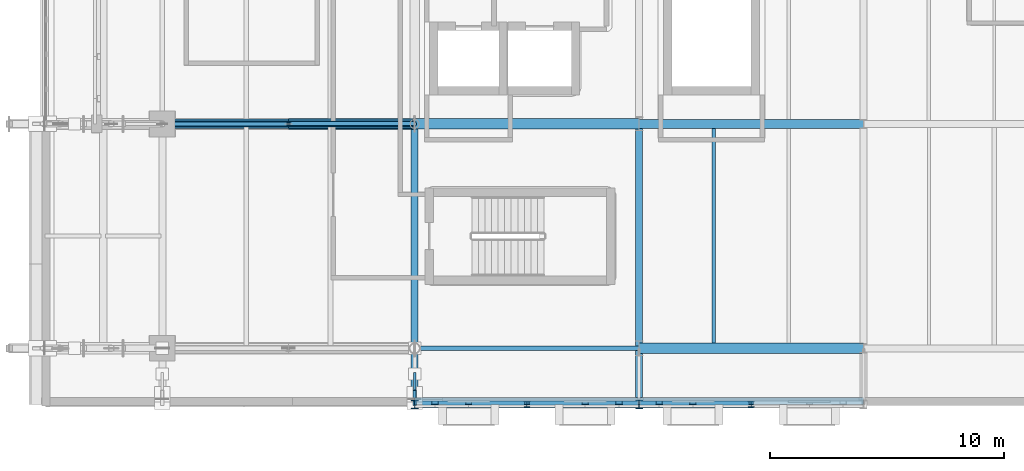
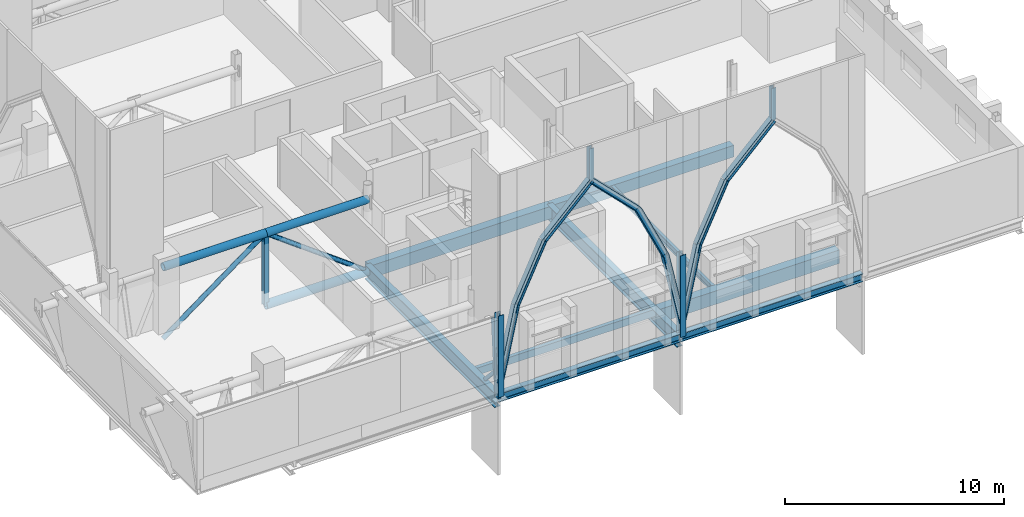
# One storey, part 20 of 90: 21 members, 9 beams.
"""IFC4 building model written with IfcOpenShell, lengths in metres."""

from ifc_helpers import new_model, si_unit, direction, frame, origin, origin_2d, place, context, subcontext, project, spatial, rectangle, hollow_rectangle, hollow_circle, i_section, extrude, material, material_profile, profile_set, type_object, element, save


model = new_model("IFC4")

# Units and contexts
model_context = context("Model", 3, precision=1e-05, world=origin(), true_north=direction((0.0, 1.0)))
body_context = subcontext(model_context, "Body", "Model", "MODEL_VIEW")
ifc_project = project(units=[si_unit("LENGTHUNIT", "METRE"), si_unit("AREAUNIT", "SQUARE_METRE"), si_unit("VOLUMEUNIT", "CUBIC_METRE"), si_unit("PLANEANGLEUNIT", "RADIAN"), si_unit("MASSUNIT", "GRAM", prefix="KILO")], contexts=[model_context])

# Site, building, storey
site_placement = place(None, origin())
site = spatial("IfcSite", under=ifc_project, at=site_placement, CompositionType="ELEMENT")
building_placement = place(site_placement, origin())
building = spatial("IfcBuilding", under=site, at=building_placement, Name="Zereglee Splitstone Museum", CompositionType="ELEMENT")
storey_placement = place(building_placement, frame((0.0, 0.0, 4.800048828125)))
storey = spatial("IfcBuildingStorey", under=building, at=storey_placement, Name="L01", CompositionType="ELEMENT", Elevation=4.800048828125)

# Beams
ifc_material_1 = material(Name="Concrete C40/50", Category="concrete")
ifc_material_profile_1 = material_profile(ifc_material_1, rectangle(XDim=0.39990234375, YDim=0.64990234375, at=origin_2d()), Name="RC 400x650")
ifc_profile_set_1 = profile_set([ifc_material_profile_1], Name="Concrete C40/50")
beam_type_1 = type_object("IfcBeamType", Name="BG-04", PredefinedType="BEAM", material=ifc_profile_set_1)
beam_1_placement = place(storey_placement, frame((30.0, 9.60009765625, -0.625), z_axis=(1.0, 0.0, 0.0), x_axis=(0.0, 1.0, 0.0)))
element("IfcBeam", 1, at=beam_1_placement, inside=storey, type_object=beam_type_1, Name="Primary Girder L01 B (30.0-39.6)", PredefinedType="BEAM", context=body_context, shape_type="SweptSolid", body=[
    extrude(rectangle(XDim=0.39990234375, YDim=0.64990234375, at=origin_2d()), origin(), (0.0, 0.0, 1.0), 9.60009765625),
])
ifc_material_profile_2 = material_profile(ifc_material_1, rectangle(XDim=0.449951171875, YDim=0.699951171875, at=origin_2d()), Name="RC 450x700")
ifc_profile_set_2 = profile_set([ifc_material_profile_2], Name="Concrete C40/50")
beam_type_2 = type_object("IfcBeamType", Name="BG-03", PredefinedType="BEAM", material=ifc_profile_set_2)
beam_2_placement = place(storey_placement, frame((20.39990234375, 9.60009765625, -0.650146484375), z_axis=(1.0, 0.0, 0.0), x_axis=(0.0, 1.0, 0.0)))
element("IfcBeam", 2, at=beam_2_placement, inside=storey, type_object=beam_type_2, Name="Primary Girder L01 B (20.4-30.0)", PredefinedType="BEAM", context=body_context, shape_type="SweptSolid", body=[
    extrude(rectangle(XDim=0.449951171875, YDim=0.699951171875, at=origin_2d()), origin(), (0.0, 0.0, 1.0), 9.60009765625),
])

# Members
ifc_material_2 = material(Name="Steel S355J2H", Category="steel")
ifc_material_profile_3 = material_profile(ifc_material_2, hollow_circle(Radius=0.122314453125, WallThickness=0.012451171875, at=origin_2d()), Name="CHS 244.5x12.5")
ifc_profile_set_3 = profile_set([ifc_material_profile_3], Name="Steel S355J2H")
member_type_1 = type_object("IfcMemberType", Name="TB-02", PredefinedType="BRACE", material=ifc_profile_set_3)
for number, where, z_axis, x_axis, name in (
    (3, (9.60009765625, 9.60009765625, -0.699951171875), (0.803552044655, 0.0, 0.595234501294), (0.0, 1.0, 0.0), "Cantilever Truss CT-02 Web Brace L01-4"),
    (4, (20.39990234375, 9.60009765625, -0.699951171875), (-0.803552044655, 0.0, 0.595234501294), (0.0, -1.0, 0.0), "Cantilever Truss CT-02 Web Brace L01-5"),
):
    element("IfcMember", number, at=place(storey_placement, frame(where, z_axis=z_axis, x_axis=x_axis)), inside=storey, type_object=member_type_1, Name=name, PredefinedType="BRACE", context=body_context, shape_type="SweptSolid", body=[
        extrude(hollow_circle(Radius=0.122314453125, WallThickness=0.012451171875, at=origin_2d()), origin(), (0.0, 0.0, 1.0), 6.719970703125),
    ])
ifc_material_3 = material(Name="Steel S355J2", Category="steel")
ifc_material_profile_4 = material_profile(ifc_material_3, i_section(OverallWidth=0.300048828125, OverallDepth=0.300048828125, WebThickness=0.010986328125, FlangeThickness=0.01904296875, FilletRadius=0.027099609375, at=origin_2d()), Name="HE 300 B")
ifc_profile_set_4 = profile_set([ifc_material_profile_4], Name="Steel S355J2")
member_type_2 = type_object("IfcMemberType", Name="TC-08", PredefinedType="CHORD", material=ifc_profile_set_4)
member_1_placement = place(storey_placement, frame((20.39990234375, -2.39990234375, 0.39990234375), z_axis=(0.209533132125, 0.0, 0.977801547627), x_axis=(0.0, 1.0, 0.0)))
element("IfcMember", 5, at=member_1_placement, inside=storey, type_object=member_type_2, Name="Mughal Four-Centred Pointed Arch Rib PSQ-SV1-1-1", PredefinedType="CHORD", context=body_context, shape_type="SweptSolid", body=[
    extrude(i_section(OverallWidth=0.300048828125, OverallDepth=0.300048828125, WebThickness=0.010986328125, FlangeThickness=0.01904296875, FilletRadius=0.027099609375, at=origin_2d()), origin(), (0.0, 0.0, 1.0), 4.12353515625),
])
member_2_placement = place(storey_placement, frame((21.263916015625, -2.39990234375, 4.431884765625), z_axis=(0.424476278162, 0.0, 0.905439058843), x_axis=(0.0, 1.0, 0.0)))
element("IfcMember", 6, at=member_2_placement, inside=storey, type_object=member_type_2, Name="Mughal Four-Centred Pointed Arch Rib PSQ-SV1-1-2", PredefinedType="CHORD", context=body_context, shape_type="SweptSolid", body=[
    extrude(i_section(OverallWidth=0.300048828125, OverallDepth=0.300048828125, WebThickness=0.010986328125, FlangeThickness=0.01904296875, FilletRadius=0.027099609375, at=origin_2d()), origin(), (0.0, 0.0, 1.0), 3.392822265625),
])
member_3_placement = place(storey_placement, frame((22.7041015625, -2.39990234375, 7.50390625), z_axis=(0.707072197919, 0.0, 0.707141362763), x_axis=(0.0, 1.0, 0.0)))
element("IfcMember", 7, at=member_3_placement, inside=storey, type_object=member_type_2, Name="Mughal Four-Centred Pointed Arch Rib PSQ-SV1-1-3", PredefinedType="CHORD", context=body_context, shape_type="SweptSolid", body=[
    extrude(i_section(OverallWidth=0.300048828125, OverallDepth=0.300048828125, WebThickness=0.010986328125, FlangeThickness=0.01904296875, FilletRadius=0.027099609375, at=origin_2d()), origin(), (0.0, 0.0, 1.0), 3.52978515625),
])
member_4_placement = place(storey_placement, frame((25.199951171875, -2.39990234375, 10.0), z_axis=(0.707106781187, 0.0, -0.707106781187), x_axis=(0.0, 1.0, 0.0)))
element("IfcMember", 8, at=member_4_placement, inside=storey, type_object=member_type_2, Name="Mughal Four-Centred Pointed Arch Rib PSQ-SV1-1-4", PredefinedType="CHORD", context=body_context, shape_type="SweptSolid", body=[
    extrude(i_section(OverallWidth=0.300048828125, OverallDepth=0.300048828125, WebThickness=0.010986328125, FlangeThickness=0.01904296875, FilletRadius=0.027099609375, at=origin_2d()), origin(), (0.0, 0.0, 1.0), 3.530029296875),
])
member_5_placement = place(storey_placement, frame((27.696044921875, -2.39990234375, 7.50390625), z_axis=(0.424417283411, 0.0, -0.905466713658), x_axis=(0.0, 1.0, 0.0)))
element("IfcMember", 9, at=member_5_placement, inside=storey, type_object=member_type_2, Name="Mughal Four-Centred Pointed Arch Rib PSQ-SV1-1-5", PredefinedType="CHORD", context=body_context, shape_type="SweptSolid", body=[
    extrude(i_section(OverallWidth=0.300048828125, OverallDepth=0.300048828125, WebThickness=0.010986328125, FlangeThickness=0.01904296875, FilletRadius=0.027099609375, at=origin_2d()), origin(), (0.0, 0.0, 1.0), 3.392822265625),
])
for number, where, z_axis, x_axis, name in (
    (10, (29.135986328125, -2.39990234375, 4.431884765625), (0.209533132125, 0.0, -0.977801547627), (0.0, 1.0, 0.0), "Mughal Four-Centred Pointed Arch Rib PSQ-SV1-1-6"),
    (11, (30.0, -2.39990234375, 0.39990234375), (0.209533132125, 0.0, 0.977801547627), (0.0, 1.0, 0.0), "Mughal Four-Centred Pointed Arch Rib PSQ-SV1-2-1"),
):
    element("IfcMember", number, at=place(storey_placement, frame(where, z_axis=z_axis, x_axis=x_axis)), inside=storey, type_object=member_type_2, Name=name, PredefinedType="CHORD", context=body_context, shape_type="SweptSolid", body=[
        extrude(i_section(OverallWidth=0.300048828125, OverallDepth=0.300048828125, WebThickness=0.010986328125, FlangeThickness=0.01904296875, FilletRadius=0.027099609375, at=origin_2d()), origin(), (0.0, 0.0, 1.0), 4.12353515625),
    ])
member_6_placement = place(storey_placement, frame((30.864013671875, -2.39990234375, 4.431884765625), z_axis=(0.424417283411, 0.0, 0.905466713658), x_axis=(0.0, 1.0, 0.0)))
element("IfcMember", 12, at=member_6_placement, inside=storey, type_object=member_type_2, Name="Mughal Four-Centred Pointed Arch Rib PSQ-SV1-2-2", PredefinedType="CHORD", context=body_context, shape_type="SweptSolid", body=[
    extrude(i_section(OverallWidth=0.300048828125, OverallDepth=0.300048828125, WebThickness=0.010986328125, FlangeThickness=0.01904296875, FilletRadius=0.027099609375, at=origin_2d()), origin(), (0.0, 0.0, 1.0), 3.392822265625),
])
member_7_placement = place(storey_placement, frame((32.303955078125, -2.39990234375, 7.50390625), z_axis=(0.707106781187, 0.0, 0.707106781187), x_axis=(0.0, 1.0, 0.0)))
element("IfcMember", 13, at=member_7_placement, inside=storey, type_object=member_type_2, Name="Mughal Four-Centred Pointed Arch Rib PSQ-SV1-2-3", PredefinedType="CHORD", context=body_context, shape_type="SweptSolid", body=[
    extrude(i_section(OverallWidth=0.300048828125, OverallDepth=0.300048828125, WebThickness=0.010986328125, FlangeThickness=0.01904296875, FilletRadius=0.027099609375, at=origin_2d()), origin(), (0.0, 0.0, 1.0), 3.530029296875),
])
ifc_material_profile_5 = material_profile(ifc_material_2, hollow_circle(Radius=0.203125, WallThickness=0.02001953125, at=origin_2d()), Name="CHS 406.4x20")
ifc_profile_set_5 = profile_set([ifc_material_profile_5], Name="Steel S355J2H")
member_type_3 = type_object("IfcMemberType", Name="TC-03", PredefinedType="CHORD", material=ifc_profile_set_5)
for number, where, z_axis, x_axis, name in (
    (14, (9.60009765625, 9.60009765625, 3.300048828125), (1.0, 0.0, 0.0), (0.0, 1.0, 0.0), "Cantilever Truss CT-02 Top Chord L01-4"),
    (15, (15.0, 9.60009765625, 3.300048828125), (1.0, 0.0, 0.0), (0.0, 1.0, 0.0), "Cantilever Truss CT-02 Top Chord L01-5"),
):
    element("IfcMember", number, at=place(storey_placement, frame(where, z_axis=z_axis, x_axis=x_axis)), inside=storey, type_object=member_type_3, Name=name, PredefinedType="CHORD", context=body_context, shape_type="SweptSolid", body=[
        extrude(hollow_circle(Radius=0.203125, WallThickness=0.02001953125, at=origin_2d()), origin(), (0.0, 0.0, 1.0), 5.39990234375),
    ])
ifc_material_profile_6 = material_profile(ifc_material_2, hollow_circle(Radius=0.228515625, WallThickness=0.02001953125, at=origin_2d()), Name="CHS 457.0x20")
ifc_profile_set_6 = profile_set([ifc_material_profile_6], Name="Steel S355J2H")
member_type_4 = type_object("IfcMemberType", Name="TC-02", PredefinedType="CHORD", material=ifc_profile_set_6)
member_8_placement = place(storey_placement, frame((15.0, 9.60009765625, -0.699951171875), z_axis=(1.0, 0.0, 0.0), x_axis=(0.0, 1.0, 0.0)))
element("IfcMember", 16, at=member_8_placement, inside=storey, type_object=member_type_4, Name="Cantilever Truss CT-02 Bottom Chord 5", PredefinedType="CHORD", context=body_context, shape_type="SweptSolid", body=[
    extrude(hollow_circle(Radius=0.228515625, WallThickness=0.02001953125, at=origin_2d()), origin(), (0.0, 0.0, 1.0), 5.39990234375),
])
ifc_material_profile_7 = material_profile(ifc_material_3, i_section(OverallWidth=0.300048828125, OverallDepth=0.360107421875, WebThickness=0.012451171875, FlangeThickness=0.0224609375, FilletRadius=0.027099609375, at=origin_2d()), Name="HE 360 B")
ifc_profile_set_7 = profile_set([ifc_material_profile_7], Name="Steel S355J2")
member_type_5 = type_object("IfcMemberType", Name="TC-06", PredefinedType="CHORD", material=ifc_profile_set_7)
for number, where, z_axis, x_axis, name in (
    (17, (20.39990234375, -2.39990234375, -0.35009765625), (0.0, 0.0, 1.0), (1.0, 0.0, 0.0), "Mughal Guldasta Hovering Portal Pier G03 L01"),
    (18, (30.0, -2.39990234375, -0.35009765625), (0.0, 0.0, 1.0), (1.0, 0.0, 0.0), "Mughal Guldasta Hovering Portal Pier G03M L01"),
):
    element("IfcMember", number, at=place(storey_placement, frame(where, z_axis=z_axis, x_axis=x_axis)), inside=storey, type_object=member_type_5, Name=name, PredefinedType="CHORD", context=body_context, shape_type="SweptSolid", body=[
        extrude(i_section(OverallWidth=0.300048828125, OverallDepth=0.360107421875, WebThickness=0.012451171875, FlangeThickness=0.0224609375, FilletRadius=0.027099609375, at=origin_2d()), origin(), (0.0, 0.0, 1.0), 4.550048828125),
    ])

# Beams
ifc_material_profile_8 = material_profile(ifc_material_3, i_section(OverallWidth=0.300048828125, OverallDepth=0.800048828125, WebThickness=0.017578125, FlangeThickness=0.032958984375, FilletRadius=0.030029296875, at=origin_2d()), Name="HE 800 B")
ifc_profile_set_8 = profile_set([ifc_material_profile_8], Name="Steel S355J2")
beam_type_3 = type_object("IfcBeamType", Name="BG-07", PredefinedType="BEAM", material=ifc_profile_set_8)
for number, where, z_axis, x_axis, name in (
    (19, (20.39990234375, -2.25, -0.699951171875), (0.0, 1.0, 0.0), (-1.0, 0.0, 0.0), "Primary Girder L01 4 (-2.2-9.6)"),
    (20, (30.0, -2.25, -0.699951171875), (0.0, 1.0, 0.0), (-1.0, 0.0, 0.0), "Primary Girder L01 5 (-2.2-9.6)"),
):
    element("IfcBeam", number, at=place(storey_placement, frame(where, z_axis=z_axis, x_axis=x_axis)), inside=storey, type_object=beam_type_3, Name=name, PredefinedType="BEAM", context=body_context, shape_type="SweptSolid", body=[
        extrude(i_section(OverallWidth=0.300048828125, OverallDepth=0.800048828125, WebThickness=0.017578125, FlangeThickness=0.032958984375, FilletRadius=0.030029296875, at=origin_2d()), origin(), (0.0, 0.0, 1.0), 11.85009765625),
    ])
ifc_material_profile_9 = material_profile(ifc_material_3, i_section(OverallWidth=0.159912109375, OverallDepth=0.330078125, WebThickness=0.007568359375, FlangeThickness=0.011474609375, FilletRadius=0.01806640625, at=origin_2d()), Name="IPE 330")
ifc_profile_set_9 = profile_set([ifc_material_profile_9], Name="Steel S355J2")
beam_type_4 = type_object("IfcBeamType", Name="BJ-05", PredefinedType="JOIST", material=ifc_profile_set_9)
beam_3_placement = place(storey_placement, frame((33.199951171875, 0.22509765625, -0.465087890625), z_axis=(0.0, 1.0, 0.0), x_axis=(-1.0, 0.0, 0.0)))
element("IfcBeam", 21, at=beam_3_placement, inside=storey, type_object=beam_type_4, Name="Secondary Floor Joist L01-0690", PredefinedType="JOIST", context=body_context, shape_type="SweptSolid", body=[
    extrude(i_section(OverallWidth=0.159912109375, OverallDepth=0.330078125, WebThickness=0.007568359375, FlangeThickness=0.011474609375, FilletRadius=0.01806640625, at=origin_2d()), origin(), (0.0, 0.0, 1.0), 9.1748046875),
])

# Members
ifc_material_profile_10 = material_profile(ifc_material_3, i_section(OverallWidth=0.239990234375, OverallDepth=0.239990234375, WebThickness=0.010009765625, FlangeThickness=0.01708984375, FilletRadius=0.02099609375, at=origin_2d()), Name="HE 240 B")
ifc_profile_set_10 = profile_set([ifc_material_profile_10], Name="Steel S355J2")
member_type_6 = type_object("IfcMemberType", Name="TP-02", PredefinedType="POST", material=ifc_profile_set_10)
member_9_placement = place(storey_placement, frame((15.0, 9.60009765625, -0.699951171875), z_axis=(0.0, 0.0, 1.0), x_axis=(1.0, 0.0, 0.0)))
element("IfcMember", 22, at=member_9_placement, inside=storey, type_object=member_type_6, Name="Cantilever Truss CT-02 Post L01-4", PredefinedType="POST", context=body_context, shape_type="SweptSolid", body=[
    extrude(i_section(OverallWidth=0.239990234375, OverallDepth=0.239990234375, WebThickness=0.010009765625, FlangeThickness=0.01708984375, FilletRadius=0.02099609375, at=origin_2d()), origin(), (0.0, 0.0, 1.0), 4.0),
])
for number, where, z_axis, x_axis, name in (
    (23, (25.199951171875, -2.39990234375, 10.0), (0.0, 0.0, 1.0), (1.0, 0.0, 0.0), "Mughal Pishtaq Crown King-Post PSQ-SV1-1"),
    (24, (34.800048828125, -2.39990234375, 10.0), (0.0, 0.0, 1.0), (1.0, 0.0, 0.0), "Mughal Pishtaq Crown King-Post PSQ-SV1-2"),
):
    element("IfcMember", number, at=place(storey_placement, frame(where, z_axis=z_axis, x_axis=x_axis)), inside=storey, type_object=member_type_6, Name=name, PredefinedType="POST", context=body_context, shape_type="SweptSolid", body=[
        extrude(i_section(OverallWidth=0.239990234375, OverallDepth=0.239990234375, WebThickness=0.010009765625, FlangeThickness=0.01708984375, FilletRadius=0.02099609375, at=origin_2d()), origin(), (0.0, 0.0, 1.0), 1.794921875),
    ])

# Beams
ifc_material_profile_11 = material_profile(ifc_material_3, i_section(OverallWidth=0.300048828125, OverallDepth=0.449951171875, WebThickness=0.013916015625, FlangeThickness=0.02587890625, FilletRadius=0.027099609375, at=origin_2d()), Name="HE 450 B")
ifc_profile_set_11 = profile_set([ifc_material_profile_11], Name="Steel S355J2")
beam_type_5 = type_object("IfcBeamType", Name="SP-02", PredefinedType="SPANDREL", material=ifc_profile_set_11)
for number, where, z_axis, x_axis, name in (
    (25, (20.39990234375, -2.25, -0.525146484375), (1.0, 0.0, 0.0), (0.0, 1.0, 0.0), "Hovering Soffit Spandrel L01 (20.4-30.0)"),
    (26, (30.0, -2.25, -0.525146484375), (1.0, 0.0, 0.0), (0.0, 1.0, 0.0), "Hovering Soffit Spandrel L01 (30.0-39.6)"),
):
    element("IfcBeam", number, at=place(storey_placement, frame(where, z_axis=z_axis, x_axis=x_axis)), inside=storey, type_object=beam_type_5, Name=name, PredefinedType="SPANDREL", context=body_context, shape_type="SweptSolid", body=[
        extrude(i_section(OverallWidth=0.300048828125, OverallDepth=0.449951171875, WebThickness=0.013916015625, FlangeThickness=0.02587890625, FilletRadius=0.027099609375, at=origin_2d()), origin(), (0.0, 0.0, 1.0), 9.60009765625),
    ])
ifc_material_profile_12 = material_profile(ifc_material_1, rectangle(XDim=0.449951171875, YDim=0.75, at=origin_2d()), Name="RC 450x750")
ifc_profile_set_12 = profile_set([ifc_material_profile_12], Name="Concrete C40/50")
beam_type_6 = type_object("IfcBeamType", Name="SP-01", PredefinedType="SPANDREL", material=ifc_profile_set_12)
beam_4_placement = place(storey_placement, frame((30.0, 0.0, -0.675048828125), z_axis=(1.0, 0.0, 0.0), x_axis=(0.0, 1.0, 0.0)))
element("IfcBeam", 27, at=beam_4_placement, inside=storey, type_object=beam_type_6, Name="Primary Girder L01 A (30.0-39.6)", PredefinedType="SPANDREL", context=body_context, shape_type="SweptSolid", body=[
    extrude(rectangle(XDim=0.449951171875, YDim=0.75, at=origin_2d()), origin(), (0.0, 0.0, 1.0), 9.60009765625),
])
ifc_material_profile_13 = material_profile(ifc_material_2, hollow_rectangle(XDim=0.199951171875, YDim=0.39990234375, WallThickness=0.01611328125, at=origin_2d()), Name="RHS 400x200x16")
ifc_profile_set_13 = profile_set([ifc_material_profile_13], Name="Steel S355J2H")
beam_type_7 = type_object("IfcBeamType", Name="SP-04", PredefinedType="SPANDREL", material=ifc_profile_set_13)
beam_5_placement = place(storey_placement, frame((20.39990234375, 0.0, -0.5), z_axis=(1.0, 0.0, 0.0), x_axis=(0.0, 1.0, 0.0)))
element("IfcBeam", 28, at=beam_5_placement, inside=storey, type_object=beam_type_7, Name="Primary Girder L01 A (20.4-30.0)", PredefinedType="SPANDREL", context=body_context, shape_type="SweptSolid", body=[
    extrude(hollow_rectangle(XDim=0.199951171875, YDim=0.39990234375, WallThickness=0.01611328125, at=origin_2d()), origin(), (0.0, 0.0, 1.0), 9.60009765625),
])

# Members
ifc_material_profile_14 = material_profile(ifc_material_2, hollow_rectangle(XDim=0.14990234375, YDim=0.35009765625, WallThickness=0.012451171875, at=origin_2d()), Name="RHS 350x150x12.5")
ifc_profile_set_14 = profile_set([ifc_material_profile_14], Name="Steel S355J2H")
member_type_7 = type_object("IfcMemberType", Name="FS-R0", PredefinedType="STRUT", material=ifc_profile_set_14)
member_10_placement = place(storey_placement, frame((20.39990234375, -2.28076171875, -0.550048828125), z_axis=(0.0, 0.07681228373, 0.997045572212), x_axis=(-1.0, 0.0, 0.0)))
element("IfcMember", 29, at=member_10_placement, inside=storey, type_object=member_type_7, Name="Split-Rock Continuous Facet Strut FH-V1S-W L01-02", PredefinedType="STRUT", context=body_context, shape_type="SweptSolid", body=[
    extrude(hollow_rectangle(XDim=0.14990234375, YDim=0.35009765625, WallThickness=0.012451171875, at=origin_2d()), origin(), (0.0, 0.0, 1.0), 4.1923828125),
])
ifc_material_profile_15 = material_profile(ifc_material_2, hollow_rectangle(XDim=0.10009765625, YDim=0.179931640625, WallThickness=0.008056640625, at=origin_2d()), Name="RHS 180x100x8")
ifc_profile_set_15 = profile_set([ifc_material_profile_15], Name="Steel S355J2H")
member_type_8 = type_object("IfcMemberType", Name="FS-T2", PredefinedType="STRUT", material=ifc_profile_set_15)
member_11_placement = place(storey_placement, frame((20.39990234375, -1.10009765625, -0.260009765625), z_axis=(0.0, -0.677733526194, 0.735307600582), x_axis=(1.0, 0.0, 0.0)))
element("IfcMember", 30, at=member_11_placement, inside=storey, type_object=member_type_8, Name="Facet Tie-Back Strut FH-V1S-W L01-02", PredefinedType="STRUT", context=body_context, shape_type="SweptSolid", body=[
    extrude(hollow_rectangle(XDim=0.10009765625, YDim=0.179931640625, WallThickness=0.008056640625, at=origin_2d()), origin(), (0.0, 0.0, 1.0), 1.577392578125),
])

save(model, "model.ifc")
